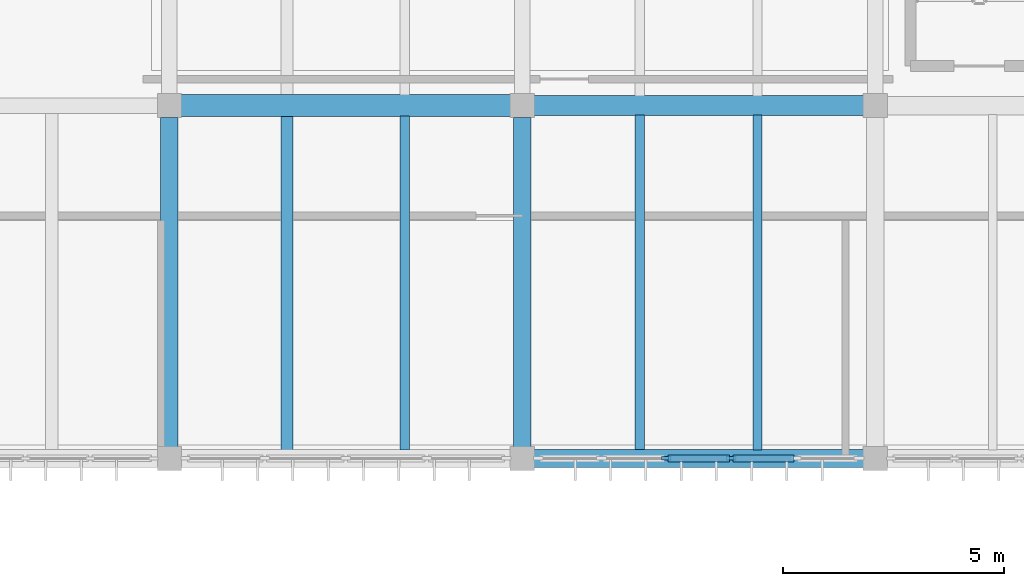
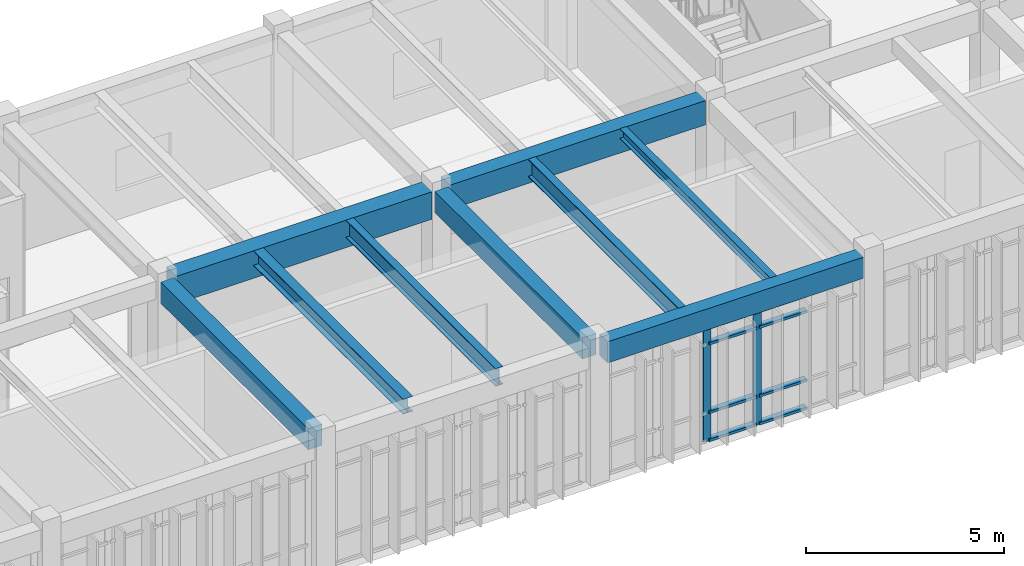
# One storey, part 16 of 79: 10 members, 9 beams, 1 element without a shape of its own.
"""IFC4 building model written with IfcOpenShell, lengths in metres."""

from ifc_helpers import new_model, si_unit, direction, frame, origin, origin_2d, place, context, subcontext, project, spatial, rectangle, i_section, extrude, material, material_profile, profile_set, type_object, element, aggregate, save


model = new_model("IFC4")

# Units and contexts
model_context = context("Model", 3, precision=1e-05, world=origin(), true_north=direction((0.0, 1.0)))
body_context = subcontext(model_context, "Body", "Model", "MODEL_VIEW")
ifc_project = project(units=[si_unit("LENGTHUNIT", "METRE"), si_unit("AREAUNIT", "SQUARE_METRE"), si_unit("VOLUMEUNIT", "CUBIC_METRE"), si_unit("PLANEANGLEUNIT", "RADIAN"), si_unit("MASSUNIT", "GRAM", prefix="KILO")], contexts=[model_context])

# Site, building, storey
site_placement = place(None, origin())
site = spatial("IfcSite", under=ifc_project, at=site_placement, CompositionType="ELEMENT")
building_placement = place(site_placement, origin())
building = spatial("IfcBuilding", under=site, at=building_placement, Name="Tlaxcora Railside Police Headquarters", CompositionType="ELEMENT")
storey_placement = place(building_placement, frame((0.0, 0.0, 9.0)))
storey = spatial("IfcBuildingStorey", under=building, at=storey_placement, Name="L02", CompositionType="ELEMENT", Elevation=9.0)

# Curtain wall, members
ifc_material_1 = material(Name="Thermally broken low-E insulated glazing", Category="glass")
curtain_wall_type = type_object("IfcCurtainWallType", Name="Unitised Curtain Wall Assembly CW-23", PredefinedType="NOTDEFINED", material=ifc_material_1)
curtain_wall_placement = place(storey_placement, origin())
curtain_wall = element("IfcCurtainWall", 1, at=curtain_wall_placement, inside=storey, type_object=curtain_wall_type, Name="V7 L02 curtain wall 180", PredefinedType="NOTDEFINED")
ifc_material_2 = material(Name="Anodised aluminium framing", Category="aluminium")
ifc_material_profile_1 = material_profile(ifc_material_2, rectangle(XDim=0.080078125, YDim=0.219970703125, at=origin_2d()), Name="AL80X220")
ifc_profile_set_1 = profile_set([ifc_material_profile_1], Name="Anodised aluminium framing")
member_type_1 = type_object("IfcMemberType", Name="Curtain Wall Mullion CW-31", PredefinedType="MULLION", material=ifc_profile_set_1)
member_1_placement = place(storey_placement, frame((130.06494140625, 36.0, 0.0), z_axis=(0.0, 0.0, 1.0), x_axis=(0.0, 1.0, 0.0)))
member_1 = element("IfcMember", 2, at=member_1_placement, type_object=member_type_1, Name="CW mullion 3", PredefinedType="MULLION", context=body_context, shape_type="SweptSolid", body=[
    extrude(rectangle(XDim=0.080078125, YDim=0.219970703125, at=origin_2d()), origin(), (0.0, 0.0, 1.0), 3.550048828125),
])
member_2_placement = place(storey_placement, frame((131.534912109375, 36.0, 0.0), z_axis=(0.0, 0.0, 1.0), x_axis=(0.0, 1.0, 0.0)))
member_2 = element("IfcMember", 3, at=member_2_placement, type_object=member_type_1, Name="CW mullion 4", PredefinedType="MULLION", context=body_context, shape_type="SweptSolid", body=[
    extrude(rectangle(XDim=0.080078125, YDim=0.219970703125, at=origin_2d()), origin(), (0.0, 0.0, 1.0), 3.550048828125),
])
ifc_material_profile_2 = material_profile(ifc_material_2, rectangle(XDim=0.1650390625, YDim=0.080078125, at=origin_2d()), Name="AL80X165")
ifc_profile_set_2 = profile_set([ifc_material_profile_2], Name="Anodised aluminium framing")
member_type_2 = type_object("IfcMemberType", Name="Curtain Wall Transom CW-62", PredefinedType="USERDEFINED", material=ifc_profile_set_2)
member_3_placement = place(storey_placement, frame((130.10498046875, 36.0, 0.0400390625), z_axis=(1.0, 0.0, 0.0), x_axis=(0.0, 1.0, 0.0)))
member_3 = element("IfcMember", 4, at=member_3_placement, type_object=member_type_2, Name="CW transom 3.1", ObjectType="TRANSOM", PredefinedType="USERDEFINED", context=body_context, shape_type="SweptSolid", body=[
    extrude(rectangle(XDim=0.1650390625, YDim=0.080078125, at=origin_2d()), origin(), (0.0, 0.0, 1.0), 1.39013671875),
])
member_4_placement = place(storey_placement, frame((130.10498046875, 36.0, 0.89990234375), z_axis=(1.0, 0.0, 0.0), x_axis=(0.0, 1.0, 0.0)))
member_4 = element("IfcMember", 5, at=member_4_placement, type_object=member_type_2, Name="CW transom 3.2", ObjectType="TRANSOM", PredefinedType="USERDEFINED", context=body_context, shape_type="SweptSolid", body=[
    extrude(rectangle(XDim=0.1650390625, YDim=0.080078125, at=origin_2d()), origin(), (0.0, 0.0, 1.0), 1.39013671875),
])
member_5_placement = place(storey_placement, frame((130.10498046875, 36.0, 3.02001953125), z_axis=(1.0, 0.0, 0.0), x_axis=(0.0, 1.0, 0.0)))
member_5 = element("IfcMember", 6, at=member_5_placement, type_object=member_type_2, Name="CW transom 3.3", ObjectType="TRANSOM", PredefinedType="USERDEFINED", context=body_context, shape_type="SweptSolid", body=[
    extrude(rectangle(XDim=0.1650390625, YDim=0.080078125, at=origin_2d()), origin(), (0.0, 0.0, 1.0), 1.39013671875),
])
member_6_placement = place(storey_placement, frame((130.10498046875, 36.0, 3.510009765625), z_axis=(1.0, 0.0, 0.0), x_axis=(0.0, 1.0, 0.0)))
member_6 = element("IfcMember", 7, at=member_6_placement, type_object=member_type_2, Name="CW transom 3.4", ObjectType="TRANSOM", PredefinedType="USERDEFINED", context=body_context, shape_type="SweptSolid", body=[
    extrude(rectangle(XDim=0.1650390625, YDim=0.080078125, at=origin_2d()), origin(), (0.0, 0.0, 1.0), 1.39013671875),
])
member_7_placement = place(storey_placement, frame((131.574951171875, 36.0, 0.0400390625), z_axis=(1.0, 0.0, 0.0), x_axis=(0.0, 1.0, 0.0)))
member_7 = element("IfcMember", 8, at=member_7_placement, type_object=member_type_2, Name="CW transom 4.1", ObjectType="TRANSOM", PredefinedType="USERDEFINED", context=body_context, shape_type="SweptSolid", body=[
    extrude(rectangle(XDim=0.1650390625, YDim=0.080078125, at=origin_2d()), origin(), (0.0, 0.0, 1.0), 1.39013671875),
])
member_8_placement = place(storey_placement, frame((131.574951171875, 36.0, 0.89990234375), z_axis=(1.0, 0.0, 0.0), x_axis=(0.0, 1.0, 0.0)))
member_8 = element("IfcMember", 9, at=member_8_placement, type_object=member_type_2, Name="CW transom 4.2", ObjectType="TRANSOM", PredefinedType="USERDEFINED", context=body_context, shape_type="SweptSolid", body=[
    extrude(rectangle(XDim=0.1650390625, YDim=0.080078125, at=origin_2d()), origin(), (0.0, 0.0, 1.0), 1.39013671875),
])
member_9_placement = place(storey_placement, frame((131.574951171875, 36.0, 3.02001953125), z_axis=(1.0, 0.0, 0.0), x_axis=(0.0, 1.0, 0.0)))
member_9 = element("IfcMember", 10, at=member_9_placement, type_object=member_type_2, Name="CW transom 4.3", ObjectType="TRANSOM", PredefinedType="USERDEFINED", context=body_context, shape_type="SweptSolid", body=[
    extrude(rectangle(XDim=0.1650390625, YDim=0.080078125, at=origin_2d()), origin(), (0.0, 0.0, 1.0), 1.39013671875),
])
member_10_placement = place(storey_placement, frame((131.574951171875, 36.0, 3.510009765625), z_axis=(1.0, 0.0, 0.0), x_axis=(0.0, 1.0, 0.0)))
member_10 = element("IfcMember", 11, at=member_10_placement, type_object=member_type_2, Name="CW transom 4.4", ObjectType="TRANSOM", PredefinedType="USERDEFINED", context=body_context, shape_type="SweptSolid", body=[
    extrude(rectangle(XDim=0.1650390625, YDim=0.080078125, at=origin_2d()), origin(), (0.0, 0.0, 1.0), 1.39013671875),
])
aggregate(curtain_wall, [member_1, member_2, member_3, member_4, member_5, member_6, member_7, member_8, member_9, member_10])

# Beams
ifc_material_3 = material(Name="Concrete C40/50", Category="concrete")
ifc_material_profile_3 = material_profile(ifc_material_3, rectangle(XDim=0.39990234375, YDim=0.64990234375, at=origin_2d()), Name="RC400X650")
ifc_profile_set_3 = profile_set([ifc_material_profile_3], Name="Concrete C40/50")
beam_type_1 = type_object("IfcBeamType", Name="Perimeter Spandrel Beam BM-46", PredefinedType="SPANDREL", material=ifc_profile_set_3)
beam_1_placement = place(storey_placement, frame((127.06494140625, 36.0, 3.89501953125), z_axis=(1.0, 0.0, 0.0), x_axis=(0.0, 1.0, 0.0)))
element("IfcBeam", 12, at=beam_1_placement, inside=storey, type_object=beam_type_1, Name="V7 L02 X-girder Y=36.0", PredefinedType="SPANDREL", context=body_context, shape_type="SweptSolid", body=[
    extrude(rectangle(XDim=0.39990234375, YDim=0.64990234375, at=origin_2d()), origin(), (0.0, 0.0, 1.0), 7.469970703125),
])
ifc_material_profile_4 = material_profile(ifc_material_3, rectangle(XDim=0.39990234375, YDim=0.64990234375, at=origin_2d()), Name="RC400X650")
ifc_profile_set_4 = profile_set([ifc_material_profile_4], Name="Concrete C40/50")
beam_type_2 = type_object("IfcBeamType", Name="Primary Frame Girder BM-41", PredefinedType="BEAM", material=ifc_profile_set_4)
for number, where, z_axis, x_axis, name in (
    (13, (118.800048828125, 36.264892578125, 3.89501953125), (0.0, 1.0, 0.0), (-1.0, 0.0, 0.0), "V7 L02 Y-girder X=118.8"),
    (14, (126.800048828125, 36.264892578125, 3.89501953125), (0.0, 1.0, 0.0), (-1.0, 0.0, 0.0), "V7 L02 Y-girder X=126.8"),
):
    element("IfcBeam", number, at=place(storey_placement, frame(where, z_axis=z_axis, x_axis=x_axis)), inside=storey, type_object=beam_type_2, Name=name, PredefinedType="BEAM", context=body_context, shape_type="SweptSolid", body=[
        extrude(rectangle(XDim=0.39990234375, YDim=0.64990234375, at=origin_2d()), origin(), (0.0, 0.0, 1.0), 7.47021484375),
    ])
ifc_material_profile_5 = material_profile(ifc_material_3, rectangle(XDim=0.5, YDim=0.85009765625, at=origin_2d()), Name="RC500X850")
ifc_profile_set_5 = profile_set([ifc_material_profile_5], Name="Concrete C40/50")
beam_type_3 = type_object("IfcBeamType", Name="Primary Frame Girder BM-64", PredefinedType="BEAM", material=ifc_profile_set_5)
beam_2_placement = place(storey_placement, frame((119.06494140625, 44.0, 3.794921875), z_axis=(1.0, 0.0, 0.0), x_axis=(0.0, 1.0, 0.0)))
element("IfcBeam", 15, at=beam_2_placement, inside=storey, type_object=beam_type_3, Name="V7 L02 X-girder Y=44.0", PredefinedType="BEAM", context=body_context, shape_type="SweptSolid", body=[
    extrude(rectangle(XDim=0.5, YDim=0.85009765625, at=origin_2d()), origin(), (0.0, 0.0, 1.0), 7.469970703125),
])
ifc_material_profile_6 = material_profile(ifc_material_3, rectangle(XDim=0.449951171875, YDim=0.75, at=origin_2d()), Name="RC450X750")
ifc_profile_set_6 = profile_set([ifc_material_profile_6], Name="Concrete C40/50")
beam_type_4 = type_object("IfcBeamType", Name="Primary Frame Girder BM-73", PredefinedType="BEAM", material=ifc_profile_set_6)
beam_3_placement = place(storey_placement, frame((127.06494140625, 44.0, 3.844970703125), z_axis=(1.0, 0.0, 0.0), x_axis=(0.0, 1.0, 0.0)))
element("IfcBeam", 16, at=beam_3_placement, inside=storey, type_object=beam_type_4, Name="V7 L02 X-girder Y=44.0", PredefinedType="BEAM", context=body_context, shape_type="SweptSolid", body=[
    extrude(rectangle(XDim=0.449951171875, YDim=0.75, at=origin_2d()), origin(), (0.0, 0.0, 1.0), 7.469970703125),
])
ifc_material_4 = material(Name="Steel ASTM A992 Grade 50", Category="steel")
ifc_material_profile_7 = material_profile(ifc_material_4, i_section(OverallWidth=0.280029296875, OverallDepth=0.4619140625, WebThickness=0.0107421875, FlangeThickness=0.017333984375, at=origin_2d()), Name="W18X76")
ifc_profile_set_7 = profile_set([ifc_material_profile_7], Name="Steel ASTM A992 Grade 50")
beam_type_5 = type_object("IfcBeamType", Name="Secondary Floor Joist BM-44", PredefinedType="JOIST", material=ifc_profile_set_7)
beam_4_placement = place(storey_placement, frame((121.466796875, 36.19189453125, 3.989013671875), z_axis=(0.0, 1.0, 0.0), x_axis=(-1.0, 0.0, 0.0)))
element("IfcBeam", 17, at=beam_4_placement, inside=storey, type_object=beam_type_5, Name="V7 L02 floor joist X=121.47", PredefinedType="JOIST", context=body_context, shape_type="SweptSolid", body=[
    extrude(i_section(OverallWidth=0.280029296875, OverallDepth=0.4619140625, WebThickness=0.0107421875, FlangeThickness=0.017333984375, at=origin_2d()), origin(), (0.0, 0.0, 1.0), 7.566162109375),
])
ifc_material_profile_8 = material_profile(ifc_material_4, i_section(OverallWidth=0.202880859375, OverallDepth=0.302978515625, WebThickness=0.007568359375, FlangeThickness=0.01318359375, at=origin_2d()), Name="W12X40")
ifc_profile_set_8 = profile_set([ifc_material_profile_8], Name="Steel ASTM A992 Grade 50")
beam_type_6 = type_object("IfcBeamType", Name="Secondary Floor Joist BM-96", PredefinedType="JOIST", material=ifc_profile_set_8)
beam_5_placement = place(storey_placement, frame((132.13330078125, 36.19189453125, 4.068603515625), z_axis=(0.0, 1.0, 0.0), x_axis=(-1.0, 0.0, 0.0)))
element("IfcBeam", 18, at=beam_5_placement, inside=storey, type_object=beam_type_6, Name="V7 L02 floor joist X=132.13", PredefinedType="JOIST", context=body_context, shape_type="SweptSolid", body=[
    extrude(i_section(OverallWidth=0.202880859375, OverallDepth=0.302978515625, WebThickness=0.007568359375, FlangeThickness=0.01318359375, at=origin_2d()), origin(), (0.0, 0.0, 1.0), 7.591064453125),
])
ifc_material_profile_9 = material_profile(ifc_material_4, i_section(OverallWidth=0.214111328125, OverallDepth=0.549072265625, WebThickness=0.0146484375, FlangeThickness=0.023681640625, at=origin_2d()), Name="W21X93")
ifc_profile_set_9 = profile_set([ifc_material_profile_9], Name="Steel ASTM A992 Grade 50")
beam_type_7 = type_object("IfcBeamType", Name="Secondary Floor Joist BM-97", PredefinedType="JOIST", material=ifc_profile_set_9)
beam_6_placement = place(storey_placement, frame((124.13330078125, 36.19189453125, 3.945556640625), z_axis=(0.0, 1.0, 0.0), x_axis=(-1.0, 0.0, 0.0)))
element("IfcBeam", 19, at=beam_6_placement, inside=storey, type_object=beam_type_7, Name="V7 L02 floor joist X=124.13", PredefinedType="JOIST", context=body_context, shape_type="SweptSolid", body=[
    extrude(i_section(OverallWidth=0.214111328125, OverallDepth=0.549072265625, WebThickness=0.0146484375, FlangeThickness=0.023681640625, at=origin_2d()), origin(), (0.0, 0.0, 1.0), 7.566162109375),
])
beam_7_placement = place(storey_placement, frame((129.466796875, 36.19189453125, 3.945556640625), z_axis=(0.0, 1.0, 0.0), x_axis=(-1.0, 0.0, 0.0)))
element("IfcBeam", 20, at=beam_7_placement, inside=storey, type_object=beam_type_7, Name="V7 L02 floor joist X=129.47", PredefinedType="JOIST", context=body_context, shape_type="SweptSolid", body=[
    extrude(i_section(OverallWidth=0.214111328125, OverallDepth=0.549072265625, WebThickness=0.0146484375, FlangeThickness=0.023681640625, at=origin_2d()), origin(), (0.0, 0.0, 1.0), 7.591064453125),
])

save(model, "model.ifc")
